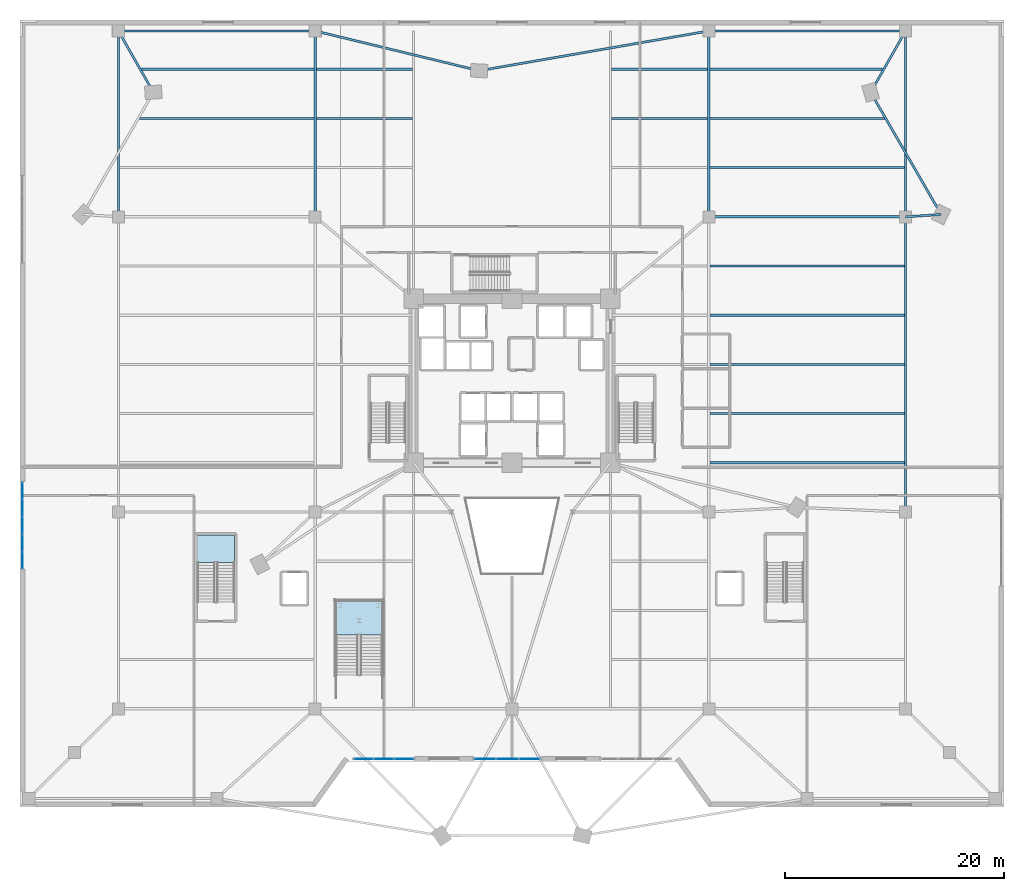
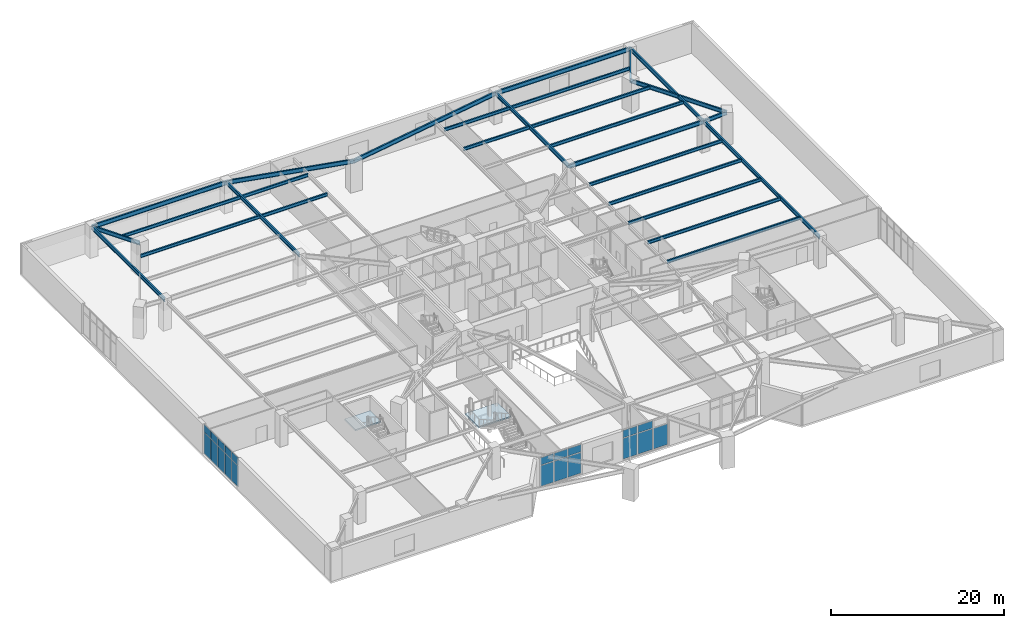
# One storey, part 17 of 29: 28 beams, 21 plates, 2 slabs, 5 elements without a shape of their own.
"""IFC4 building model written with IfcOpenShell, lengths in metres."""

import ifcopenshell
import ifcopenshell.guid

model = None  # the IFC model being written
_history = None  # IfcOwnerHistory: only IFC2X3 demands one
_inside = {}  # id of a spatial element -> (the spatial element, [elements in it])
_under = {}  # id of a project, library or spatial element -> (it, [spatial elements below it])
_declared = {}  # id of a project -> (the project, [libraries it declares])
_typed = {}  # id of a type object -> (the type object, [elements of that type])
_made_of = {}  # id of a material, layer set ... -> (it, [elements and type objects made of it])


def new_model(schema):
    """Start an empty IFC model of exactly this schema.

    Asked for "IFC4X3", IfcOpenShell would pick the latest addendum, in which some entities
    have other attributes; the version numbers below select the first issue.
    IFC2X3 requires an IfcOwnerHistory on every rooted entity: one is made here for all.
    """
    global model, _history
    if schema == "IFC4X3":
        model = ifcopenshell.file(schema_version=(4, 3, 0, 0))
    else:
        model = ifcopenshell.file(schema=schema)
    _inside.clear()
    _under.clear()
    _declared.clear()
    _typed.clear()
    _made_of.clear()
    _history = None
    if model.schema == "IFC2X3":
        org = make("IfcOrganization", Name="unknown")
        user = make(
            "IfcPersonAndOrganization",
            ThePerson=make("IfcPerson", FamilyName="unknown"),
            TheOrganization=org,
        )
        app = make(
            "IfcApplication",
            ApplicationDeveloper=org,
            Version="unknown",
            ApplicationFullName="unknown",
            ApplicationIdentifier="unknown",
        )
        _history = make(
            "IfcOwnerHistory",
            OwningUser=user,
            OwningApplication=app,
            ChangeAction="ADDED",
            CreationDate=0,
        )
    return model


def make(cls, **values):
    """One entity of the class cls with the attributes given. An attribute that is None is left unset."""
    return model.create_entity(
        cls, **{name: value for name, value in values.items() if value is not None}
    )


def rooted(cls, **values):
    """An entity with a GlobalId (a new one), such as an element, a storey or a relation."""
    return make(cls, GlobalId=ifcopenshell.guid.new(), OwnerHistory=_history, **values)


def si_unit(unit_type, name, prefix=None):
    """IfcSIUnit, for example si_unit("LENGTHUNIT", "METRE", prefix="MILLI")."""
    return make("IfcSIUnit", UnitType=unit_type, Prefix=prefix, Name=name)


def assignment(units):
    """IfcUnitAssignment: the units of a project."""
    return None if units is None else make("IfcUnitAssignment", Units=units)


def point(xyz):
    """IfcCartesianPoint."""
    return None if xyz is None else make("IfcCartesianPoint", Coordinates=xyz)


def direction(xyz):
    """IfcDirection."""
    return None if xyz is None else make("IfcDirection", DirectionRatios=xyz)


def frame(location, z_axis=None, x_axis=None):
    """IfcAxis2Placement3D, a coordinate frame: its origin and axes. An axis left out is left unset."""
    return make(
        "IfcAxis2Placement3D",
        Location=point(location),
        Axis=direction(z_axis),
        RefDirection=direction(x_axis),
    )


def frame_2d(location, x_axis=None):
    """IfcAxis2Placement2D, a coordinate frame in the plane: its origin and x axis."""
    return make(
        "IfcAxis2Placement2D", Location=point(location), RefDirection=direction(x_axis)
    )


def origin():
    """The frame at (0, 0, 0) with its axes left unset."""
    return frame((0.0, 0.0, 0.0))


def origin_2d():
    """The frame at (0, 0) in the plane with its x axis left unset."""
    return frame_2d((0.0, 0.0))


def place(relative_to, where):
    """IfcLocalPlacement: puts the frame where relative to a parent placement (None: the world)."""
    return make(
        "IfcLocalPlacement", PlacementRelTo=relative_to, RelativePlacement=where
    )


def context(
    kind, dimensions, precision=None, world=None, true_north=None, identifier=None
):
    """IfcGeometricRepresentationContext, for example the 3D "Model" context."""
    return make(
        "IfcGeometricRepresentationContext",
        ContextIdentifier=identifier,
        ContextType=kind,
        CoordinateSpaceDimension=dimensions,
        Precision=precision,
        WorldCoordinateSystem=world,
        TrueNorth=true_north,
    )


def subcontext(parent, identifier, kind, view, scale=None):
    """IfcGeometricRepresentationSubContext, for example "Body" below "Model"."""
    return make(
        "IfcGeometricRepresentationSubContext",
        ContextIdentifier=identifier,
        ContextType=kind,
        ParentContext=parent,
        TargetScale=scale,
        TargetView=view,
    )


def project(units=None, contexts=None):
    """IfcProject with its units and contexts."""
    return rooted(
        "IfcProject",
        Name="project",
        RepresentationContexts=contexts,
        UnitsInContext=assignment(units),
    )


def spatial(cls, under=None, at=None, **own):
    """A site, building, storey or space (cls), placed at a placement, below another one or the project."""
    s = rooted(cls, ObjectPlacement=at, **own)
    if under is not None:
        _under.setdefault(under.id(), (under, []))[1].append(s)
    return s


def polyline(points):
    """IfcPolyline through the points."""
    return make("IfcPolyline", Points=[point(p) for p in points])


def profile(cls, at=None, kind="AREA", **sizes):
    """A parametric profile (cls). Its sizes go by their IFC names, for example OverallWidth=200.0."""
    return make(cls, ProfileType=kind, Position=at, **sizes)


def rectangle(**sizes):
    """IfcRectangleProfileDef."""
    return profile("IfcRectangleProfileDef", **sizes)


def i_section(**sizes):
    """IfcIShapeProfileDef."""
    return profile("IfcIShapeProfileDef", **sizes)


def outline(outer, holes=None, kind="AREA"):
    """IfcArbitraryClosedProfileDef: a profile drawn as a closed curve; with holes, ...WithVoids."""
    if holes is None:
        return make("IfcArbitraryClosedProfileDef", ProfileType=kind, OuterCurve=outer)
    return make(
        "IfcArbitraryProfileDefWithVoids",
        ProfileType=kind,
        OuterCurve=outer,
        InnerCurves=holes,
    )


def extrude(swept, where, along, depth):
    """IfcExtrudedAreaSolid: the profile swept, set in the frame where, extruded along a direction by depth."""
    return make(
        "IfcExtrudedAreaSolid",
        SweptArea=swept,
        Position=where,
        ExtrudedDirection=direction(along),
        Depth=depth,
    )


def shape(context_of_items, identifier, shape_type, items):
    """IfcShapeRepresentation: the items that make up one representation, for example the "Body"."""
    return make(
        "IfcShapeRepresentation",
        ContextOfItems=context_of_items,
        RepresentationIdentifier=identifier,
        RepresentationType=shape_type,
        Items=items,
    )


def source(mapping_origin, context_of_items, identifier, shape_type, items):
    """IfcRepresentationMap: a shape defined once, which mapped items show again and again."""
    return make(
        "IfcRepresentationMap",
        MappingOrigin=mapping_origin,
        MappedRepresentation=shape(context_of_items, identifier, shape_type, items),
    )


def transform(
    local_origin,
    x_axis=None,
    y_axis=None,
    z_axis=None,
    scale=None,
    scale2=None,
    scale3=None,
    uniform=True,
):
    """IfcCartesianTransformationOperator3D, or its non-uniform kind. x_axis, y_axis, z_axis: its Axis1, 2, 3."""
    if uniform:
        return make(
            "IfcCartesianTransformationOperator3D",
            Axis1=direction(x_axis),
            Axis2=direction(y_axis),
            LocalOrigin=point(local_origin),
            Scale=scale,
            Axis3=direction(z_axis),
        )
    return make(
        "IfcCartesianTransformationOperator3DnonUniform",
        Axis1=direction(x_axis),
        Axis2=direction(y_axis),
        LocalOrigin=point(local_origin),
        Scale=scale,
        Axis3=direction(z_axis),
        Scale2=scale2,
        Scale3=scale3,
    )


def mapped(mapping_source, mapping_target):
    """IfcMappedItem: shows the shape of a source again, moved by a transform."""
    return make(
        "IfcMappedItem", MappingSource=mapping_source, MappingTarget=mapping_target
    )


def material(Name=None, Category=None):
    """IfcMaterial."""
    return make("IfcMaterial", Name=Name, Category=Category)


def layer(
    of_material, thickness, ventilated=None, Name=None, Category=None, Priority=None
):
    """IfcMaterialLayer: one layer of a wall or slab, of a material (None: an air gap)."""
    return make(
        "IfcMaterialLayer",
        Material=of_material,
        LayerThickness=thickness,
        IsVentilated=ventilated,
        Name=Name,
        Category=Category,
        Priority=Priority,
    )


def layer_set(layers, Name=None):
    """IfcMaterialLayerSet."""
    return make("IfcMaterialLayerSet", MaterialLayers=layers, LayerSetName=Name)


def material_profile(
    of_material, cross_section, Name=None, Category=None, Priority=None
):
    """IfcMaterialProfile: a cross section and its material."""
    return make(
        "IfcMaterialProfile",
        Name=Name,
        Material=of_material,
        Profile=cross_section,
        Priority=Priority,
        Category=Category,
    )


def profile_set(profiles, Name=None, composite=None):
    """IfcMaterialProfileSet."""
    return make(
        "IfcMaterialProfileSet",
        Name=Name,
        MaterialProfiles=profiles,
        CompositeProfile=composite,
    )


def made_of(thing, what):
    """Note that an element or type object is made of a material, layer set ...; save() writes the relation."""
    if what is not None:
        _made_of.setdefault(what.id(), (what, []))[1].append(thing)
    return thing


def type_object(cls, material=None, **own):
    """A type object (cls), such as IfcWallType, which elements share."""
    return made_of(rooted(cls, **own), material)


def element(
    cls,
    number,
    at=None,
    inside=None,
    cuts=None,
    type_object=None,
    material=None,
    context=None,
    identifier="Body",
    shape_type=None,
    held_by="IfcProductDefinitionShape",
    body=None,
    shapes=None,
    **own,
):
    """One element of the class cls, such as IfcWall. Its Tag is "e" and its number.

    at: its placement. inside: the storey or other place that contains it. cuts: it is an
    opening in that element (IfcRelVoidsElement). A single representation is given by context,
    identifier, shape_type and body (its items); several are given by shapes. held_by: the class
    of the entity that holds the representations. save() writes the other relations.
    """
    e = rooted(cls, Tag="e%d" % number, ObjectPlacement=at, **own)
    if body is not None:
        shapes = [shape(context, identifier, shape_type, body)]
    if shapes is not None:
        e.Representation = make(held_by, Representations=shapes)
    if inside is not None:
        _inside.setdefault(inside.id(), (inside, []))[1].append(e)
    if cuts is not None:
        rooted(
            "IfcRelVoidsElement", RelatingBuildingElement=cuts, RelatedOpeningElement=e
        )
    if type_object is not None:
        _typed.setdefault(type_object.id(), (type_object, []))[1].append(e)
    return made_of(e, material)


def aggregate(whole, parts):
    """IfcRelAggregates: a whole, such as a stair, and the parts it consists of."""
    return rooted("IfcRelAggregates", RelatingObject=whole, RelatedObjects=parts)


def save(model, path):
    """Write the relations noted so far, then the file.

    IfcRelAggregates (storeys below a building ...), IfcRelContainedInSpatialStructure (elements
    in a storey), IfcRelDefinesByType, IfcRelAssociatesMaterial and IfcRelDeclares: one each for
    every whole, place, type object, material and project.
    """
    for whole, parts in _under.values():
        aggregate(whole, parts)
    for where, things in _inside.values():
        rooted(
            "IfcRelContainedInSpatialStructure",
            RelatedElements=things,
            RelatingStructure=where,
        )
    for kind, things in _typed.values():
        rooted("IfcRelDefinesByType", RelatedObjects=things, RelatingType=kind)
    for what, things in _made_of.values():
        rooted("IfcRelAssociatesMaterial", RelatedObjects=things, RelatingMaterial=what)
    for by, libraries in _declared.values():
        rooted("IfcRelDeclares", RelatingContext=by, RelatedDefinitions=libraries)
    model.write(path)


model = new_model("IFC4")

# Units and contexts
model_context = context("Model", 3, precision=1e-05, world=origin(), true_north=direction((0.0, 1.0)))
body_context = subcontext(model_context, "Body", "Model", "MODEL_VIEW")
ifc_project = project(units=[si_unit("LENGTHUNIT", "METRE"), si_unit("AREAUNIT", "SQUARE_METRE"), si_unit("VOLUMEUNIT", "CUBIC_METRE"), si_unit("PLANEANGLEUNIT", "RADIAN"), si_unit("MASSUNIT", "GRAM", prefix="KILO")], contexts=[model_context])

# Site, building, storey
site_placement = place(None, origin())
site = spatial("IfcSite", under=ifc_project, at=site_placement, CompositionType="ELEMENT")
building_placement = place(site_placement, origin())
building = spatial("IfcBuilding", under=site, at=building_placement, Name="Liaohun Quay Tower", CompositionType="ELEMENT")
storey_placement = place(building_placement, frame((0.0, 0.0, 5.39990234375)))
storey = spatial("IfcBuildingStorey", under=building, at=storey_placement, Name="L02", CompositionType="ELEMENT", Elevation=5.39990234375)

# Beams
ifc_material_1 = material(Name="Steel Q355D", Category="steel")
ifc_material_profile_1 = material_profile(ifc_material_1, i_section(OverallWidth=0.199951171875, OverallDepth=0.449951171875, WebThickness=0.009033203125, FlangeThickness=0.013916015625, at=origin_2d()), Name="HN450x200x9x14")
ifc_profile_set_1 = profile_set([ifc_material_profile_1], Name="Steel Q355D")
beam_type_1 = type_object("IfcBeamType", Name="BM-SEC-J1", PredefinedType="JOIST", material=ifc_profile_set_1)
shared_shape_1 = source(origin(), body_context, "Body", "SweptSolid", [
    extrude(i_section(OverallWidth=0.199951171875, OverallDepth=0.449951171875, WebThickness=0.009033203125, FlangeThickness=0.013916015625, at=origin_2d()), origin(), (0.0, 0.0, 1.0), 8.7998046875),
])
for number, where, z_axis, x_axis, name in (
    (1, (42.10009765625, 78.0, 4.025146484375), (1.0, 0.0, 0.0), (0.0, 1.0, 0.0), "L02 Composite Floor Joist SJ-21"),
    (2, (42.10009765625, 82.5, 4.025146484375), (1.0, 0.0, 0.0), (0.0, 1.0, 0.0), "L02 Composite Floor Joist SJ-22"),
    (3, (69.10009765625, 78.0, 4.025146484375), (1.0, 0.0, 0.0), (0.0, 1.0, 0.0), "L02 Composite Floor Joist SJ-32"),
    (4, (69.10009765625, 82.5, 4.025146484375), (1.0, 0.0, 0.0), (0.0, 1.0, 0.0), "L02 Composite Floor Joist SJ-33"),
):
    element("IfcBeam", number, at=place(storey_placement, frame(where, z_axis=z_axis, x_axis=x_axis)), inside=storey, type_object=beam_type_1, Name=name, PredefinedType="JOIST", context=body_context, shape_type="MappedRepresentation", body=[
        mapped(shared_shape_1, transform((0.0, 0.0, 0.0), x_axis=(1.0, 0.0, 0.0), y_axis=(0.0, 1.0, 0.0), z_axis=(0.0, 0.0, 1.0), scale=1.0)),
    ])
shared_shape_2 = source(origin(), body_context, "Body", "SweptSolid", [
    extrude(i_section(OverallWidth=0.199951171875, OverallDepth=0.449951171875, WebThickness=0.009033203125, FlangeThickness=0.013916015625, at=origin_2d()), origin(), (0.0, 0.0, 1.0), 17.7998046875),
])
for number, where, z_axis, x_axis, name in (
    (5, (78.10009765625, 46.5, 4.025146484375), (1.0, 0.0, 0.0), (0.0, 1.0, 0.0), "L02 Composite Floor Joist SJ-37"),
    (6, (78.10009765625, 51.0, 4.025146484375), (1.0, 0.0, 0.0), (0.0, 1.0, 0.0), "L02 Composite Floor Joist SJ-38"),
    (7, (78.10009765625, 55.5, 4.025146484375), (1.0, 0.0, 0.0), (0.0, 1.0, 0.0), "L02 Composite Floor Joist SJ-39"),
    (8, (78.10009765625, 60.0, 4.025146484375), (1.0, 0.0, 0.0), (0.0, 1.0, 0.0), "L02 Composite Floor Joist SJ-40"),
    (9, (78.10009765625, 64.5, 4.025146484375), (1.0, 0.0, 0.0), (0.0, 1.0, 0.0), "L02 Composite Floor Joist SJ-41"),
    (10, (78.10009765625, 73.5, 4.025146484375), (1.0, 0.0, 0.0), (0.0, 1.0, 0.0), "L02 Composite Floor Joist SJ-42"),
):
    element("IfcBeam", number, at=place(storey_placement, frame(where, z_axis=z_axis, x_axis=x_axis)), inside=storey, type_object=beam_type_1, Name=name, PredefinedType="JOIST", context=body_context, shape_type="MappedRepresentation", body=[
        mapped(shared_shape_2, transform((0.0, 0.0, 0.0), x_axis=(1.0, 0.0, 0.0), y_axis=(0.0, 1.0, 0.0), z_axis=(0.0, 0.0, 1.0), scale=1.0)),
    ])
shared_shape_3 = source(origin(), body_context, "Body", "SweptSolid", [
    extrude(i_section(OverallWidth=0.199951171875, OverallDepth=0.449951171875, WebThickness=0.009033203125, FlangeThickness=0.013916015625, at=origin_2d()), origin(), (0.0, 0.0, 1.0), 15.9658203125),
])
beam_1_placement = place(storey_placement, frame((25.93408203125, 78.0, 4.025146484375), z_axis=(1.0, 0.0, 0.0), x_axis=(0.0, 1.0, 0.0)))
element("IfcBeam", 11, at=beam_1_placement, inside=storey, type_object=beam_type_1, Name="L02 Composite Floor Joist SJ-10", PredefinedType="JOIST", context=body_context, shape_type="MappedRepresentation", body=[
    mapped(shared_shape_3, transform((0.0, 0.0, 0.0), x_axis=(1.0, 0.0, 0.0), y_axis=(0.0, 1.0, 0.0), z_axis=(0.0, 0.0, 1.0), scale=1.0)),
])
shared_shape_4 = source(origin(), body_context, "Body", "SweptSolid", [
    extrude(i_section(OverallWidth=0.199951171875, OverallDepth=0.449951171875, WebThickness=0.009033203125, FlangeThickness=0.013916015625, at=origin_2d()), origin(), (0.0, 0.0, 1.0), 15.788818359375),
])
beam_2_placement = place(storey_placement, frame((26.111083984375, 82.5, 4.025146484375), z_axis=(1.0, 0.0, 0.0), x_axis=(0.0, 1.0, 0.0)))
element("IfcBeam", 12, at=beam_2_placement, inside=storey, type_object=beam_type_1, Name="L02 Composite Floor Joist SJ-11", PredefinedType="JOIST", context=body_context, shape_type="MappedRepresentation", body=[
    mapped(shared_shape_4, transform((0.0, 0.0, 0.0), x_axis=(1.0, 0.0, 0.0), y_axis=(0.0, 1.0, 0.0), z_axis=(0.0, 0.0, 1.0), scale=1.0)),
])
shared_shape_5 = source(origin(), body_context, "Body", "SweptSolid", [
    extrude(i_section(OverallWidth=0.199951171875, OverallDepth=0.449951171875, WebThickness=0.009033203125, FlangeThickness=0.013916015625, at=origin_2d()), origin(), (0.0, 0.0, 1.0), 15.96484375),
])
beam_3_placement = place(storey_placement, frame((78.10009765625, 78.0, 4.025146484375), z_axis=(1.0, 0.0, 0.0), x_axis=(0.0, 1.0, 0.0)))
element("IfcBeam", 13, at=beam_3_placement, inside=storey, type_object=beam_type_1, Name="L02 Composite Floor Joist SJ-43", PredefinedType="JOIST", context=body_context, shape_type="MappedRepresentation", body=[
    mapped(shared_shape_5, transform((0.0, 0.0, 0.0), x_axis=(1.0, 0.0, 0.0), y_axis=(0.0, 1.0, 0.0), z_axis=(0.0, 0.0, 1.0), scale=1.0)),
])
shared_shape_6 = source(origin(), body_context, "Body", "SweptSolid", [
    extrude(i_section(OverallWidth=0.199951171875, OverallDepth=0.449951171875, WebThickness=0.009033203125, FlangeThickness=0.013916015625, at=origin_2d()), origin(), (0.0, 0.0, 1.0), 15.7919921875),
])
beam_4_placement = place(storey_placement, frame((78.10009765625, 82.5, 4.025146484375), z_axis=(1.0, 0.0, 0.0), x_axis=(0.0, 1.0, 0.0)))
element("IfcBeam", 14, at=beam_4_placement, inside=storey, type_object=beam_type_1, Name="L02 Composite Floor Joist SJ-44", PredefinedType="JOIST", context=body_context, shape_type="MappedRepresentation", body=[
    mapped(shared_shape_6, transform((0.0, 0.0, 0.0), x_axis=(1.0, 0.0, 0.0), y_axis=(0.0, 1.0, 0.0), z_axis=(0.0, 0.0, 1.0), scale=1.0)),
])
ifc_material_profile_2 = material_profile(ifc_material_1, i_section(OverallWidth=0.199951171875, OverallDepth=0.60009765625, WebThickness=0.010986328125, FlangeThickness=0.01708984375, at=origin_2d()), Name="HN600x200x11x17")
ifc_profile_set_2 = profile_set([ifc_material_profile_2], Name="Steel Q355D")
beam_type_2 = type_object("IfcBeamType", Name="BM-POD-G1", PredefinedType="BEAM", material=ifc_profile_set_2)
shared_shape_7 = source(origin(), body_context, "Body", "SweptSolid", [
    extrude(i_section(OverallWidth=0.199951171875, OverallDepth=0.60009765625, WebThickness=0.010986328125, FlangeThickness=0.01708984375, at=origin_2d()), origin(), (0.0, 0.0, 1.0), 18.0),
])
for number, where, z_axis, x_axis, name in (
    (15, (78.0, 69.0, 3.9501953125), (1.0, 0.0, 0.0), (0.0, 1.0, 0.0), "L02 Primary Grid Girder PG12-PG13"),
    (16, (24.0, 86.0, 3.9501953125), (1.0, 0.0, 0.0), (0.0, 1.0, 0.0), "L02 Primary Grid Girder PG14-PG15"),
    (17, (78.0, 86.0, 3.9501953125), (1.0, 0.0, 0.0), (0.0, 1.0, 0.0), "L02 Primary Grid Girder PG17-PG18"),
):
    element("IfcBeam", number, at=place(storey_placement, frame(where, z_axis=z_axis, x_axis=x_axis)), inside=storey, type_object=beam_type_2, Name=name, PredefinedType="BEAM", context=body_context, shape_type="MappedRepresentation", body=[
        mapped(shared_shape_7, transform((0.0, 0.0, 0.0), x_axis=(1.0, 0.0, 0.0), y_axis=(0.0, 1.0, 0.0), z_axis=(0.0, 0.0, 1.0), scale=1.0)),
    ])
shared_shape_8 = source(origin(), body_context, "Body", "SweptSolid", [
    extrude(i_section(OverallWidth=0.199951171875, OverallDepth=0.60009765625, WebThickness=0.010986328125, FlangeThickness=0.01708984375, at=origin_2d()), origin(), (0.0, 0.0, 1.0), 15.4306640625),
])
beam_5_placement = place(storey_placement, frame((42.0, 86.0, 3.9501953125), z_axis=(0.971780133719, -0.235888473032, 0.0), x_axis=(0.235888473032, 0.971780133719, 0.0)))
element("IfcBeam", 18, at=beam_5_placement, inside=storey, type_object=beam_type_2, Name="L02 Primary Grid Girder PG15-PC06", PredefinedType="BEAM", context=body_context, shape_type="MappedRepresentation", body=[
    mapped(shared_shape_8, transform((0.0, 0.0, 0.0), x_axis=(1.0, 0.0, 0.0), y_axis=(0.0, 1.0, 0.0), z_axis=(0.0, 0.0, 1.0), scale=1.0)),
])
shared_shape_9 = source(origin(), body_context, "Body", "SweptSolid", [
    extrude(i_section(OverallWidth=0.199951171875, OverallDepth=0.60009765625, WebThickness=0.010986328125, FlangeThickness=0.01708984375, at=origin_2d()), origin(), (0.0, 0.0, 1.0), 21.31787109375),
])
beam_6_placement = place(storey_placement, frame((56.9951171875, 82.360107421875, 3.9501953125), z_axis=(0.985315548274, 0.170743287801, 0.0), x_axis=(-0.170743287801, 0.985315548274, 0.0)))
element("IfcBeam", 19, at=beam_6_placement, inside=storey, type_object=beam_type_2, Name="L02 Primary Grid Girder PC06-PG17", PredefinedType="BEAM", context=body_context, shape_type="MappedRepresentation", body=[
    mapped(shared_shape_9, transform((0.0, 0.0, 0.0), x_axis=(1.0, 0.0, 0.0), y_axis=(0.0, 1.0, 0.0), z_axis=(0.0, 0.0, 1.0), scale=1.0)),
])
ifc_material_profile_3 = material_profile(ifc_material_1, i_section(OverallWidth=0.199951171875, OverallDepth=0.550048828125, WebThickness=0.010009765625, FlangeThickness=0.01611328125, at=origin_2d()), Name="HN550x200x10x16")
ifc_profile_set_3 = profile_set([ifc_material_profile_3], Name="Steel Q355D")
beam_type_3 = type_object("IfcBeamType", Name="BM-POD-G2", PredefinedType="BEAM", material=ifc_profile_set_3)
shared_shape_10 = source(origin(), body_context, "Body", "SweptSolid", [
    extrude(i_section(OverallWidth=0.199951171875, OverallDepth=0.550048828125, WebThickness=0.010009765625, FlangeThickness=0.01611328125, at=origin_2d()), origin(), (0.0, 0.0, 1.0), 27.0),
])
beam_7_placement = place(storey_placement, frame((96.0, 42.0, 3.97509765625), z_axis=(0.0, 1.0, 0.0), x_axis=(-1.0, 0.0, 0.0)))
element("IfcBeam", 20, at=beam_7_placement, inside=storey, type_object=beam_type_3, Name="L02 Primary Grid Girder PG09-PG13", PredefinedType="BEAM", context=body_context, shape_type="MappedRepresentation", body=[
    mapped(shared_shape_10, transform((0.0, 0.0, 0.0), x_axis=(1.0, 0.0, 0.0), y_axis=(0.0, 1.0, 0.0), z_axis=(0.0, 0.0, 1.0), scale=1.0)),
])
shared_shape_11 = source(origin(), body_context, "Body", "SweptSolid", [
    extrude(i_section(OverallWidth=0.199951171875, OverallDepth=0.550048828125, WebThickness=0.010009765625, FlangeThickness=0.01611328125, at=origin_2d()), origin(), (0.0, 0.0, 1.0), 17.0),
])
for number, where, z_axis, x_axis, name in (
    (21, (24.0, 69.0, 3.97509765625), (0.0, 1.0, 0.0), (-1.0, 0.0, 0.0), "L02 Primary Grid Girder PG10-PG14"),
    (22, (42.0, 69.0, 3.97509765625), (0.0, 1.0, 0.0), (-1.0, 0.0, 0.0), "L02 Primary Grid Girder PG11-PG15"),
    (23, (78.0, 69.0, 3.97509765625), (0.0, 1.0, 0.0), (-1.0, 0.0, 0.0), "L02 Primary Grid Girder PG12-PG17"),
    (24, (96.0, 69.0, 3.97509765625), (0.0, 1.0, 0.0), (-1.0, 0.0, 0.0), "L02 Primary Grid Girder PG13-PG18"),
):
    element("IfcBeam", number, at=place(storey_placement, frame(where, z_axis=z_axis, x_axis=x_axis)), inside=storey, type_object=beam_type_3, Name=name, PredefinedType="BEAM", context=body_context, shape_type="MappedRepresentation", body=[
        mapped(shared_shape_11, transform((0.0, 0.0, 0.0), x_axis=(1.0, 0.0, 0.0), y_axis=(0.0, 1.0, 0.0), z_axis=(0.0, 0.0, 1.0), scale=1.0)),
    ])
shared_shape_12 = source(origin(), body_context, "Body", "SweptSolid", [
    extrude(i_section(OverallWidth=0.199951171875, OverallDepth=0.550048828125, WebThickness=0.010009765625, FlangeThickness=0.01611328125, at=origin_2d()), origin(), (0.0, 0.0, 1.0), 6.45703125),
])
beam_8_placement = place(storey_placement, frame((27.198974609375, 80.39111328125, 3.97509765625), z_axis=(-0.49542619565, 0.868650035782, 0.0), x_axis=(-0.868650035782, -0.49542619565, 0.0)))
element("IfcBeam", 25, at=beam_8_placement, inside=storey, type_object=beam_type_3, Name="L02 Primary Grid Girder PC05-PG14", PredefinedType="BEAM", context=body_context, shape_type="MappedRepresentation", body=[
    mapped(shared_shape_12, transform((0.0, 0.0, 0.0), x_axis=(1.0, 0.0, 0.0), y_axis=(0.0, 1.0, 0.0), z_axis=(0.0, 0.0, 1.0), scale=1.0)),
])
shared_shape_13 = source(origin(), body_context, "Body", "SweptSolid", [
    extrude(i_section(OverallWidth=0.199951171875, OverallDepth=0.550048828125, WebThickness=0.010009765625, FlangeThickness=0.01611328125, at=origin_2d()), origin(), (0.0, 0.0, 1.0), 6.462158203125),
])
beam_9_placement = place(storey_placement, frame((92.802978515625, 80.384033203125, 3.97509765625), z_axis=(0.494726480393, 0.869048738333, 0.0), x_axis=(-0.869048738333, 0.494726480393, 0.0)))
element("IfcBeam", 26, at=beam_9_placement, inside=storey, type_object=beam_type_3, Name="L02 Primary Grid Girder PC07-PG18", PredefinedType="BEAM", context=body_context, shape_type="MappedRepresentation", body=[
    mapped(shared_shape_13, transform((0.0, 0.0, 0.0), x_axis=(1.0, 0.0, 0.0), y_axis=(0.0, 1.0, 0.0), z_axis=(0.0, 0.0, 1.0), scale=1.0)),
])
shared_shape_14 = source(origin(), body_context, "Body", "SweptSolid", [
    extrude(i_section(OverallWidth=0.199951171875, OverallDepth=0.550048828125, WebThickness=0.010009765625, FlangeThickness=0.01611328125, at=origin_2d()), origin(), (0.0, 0.0, 1.0), 3.262939453125),
])
beam_10_placement = place(storey_placement, frame((99.256103515625, 69.2119140625, 3.97509765625), z_axis=(-0.997888864182, -0.064944705264, 0.0), x_axis=(0.064944705264, -0.997888864182, 0.0)))
element("IfcBeam", 27, at=beam_10_placement, inside=storey, type_object=beam_type_3, Name="L02 Primary Grid Girder PC09-PG13", PredefinedType="BEAM", context=body_context, shape_type="MappedRepresentation", body=[
    mapped(shared_shape_14, transform((0.0, 0.0, 0.0), x_axis=(1.0, 0.0, 0.0), y_axis=(0.0, 1.0, 0.0), z_axis=(0.0, 0.0, 1.0), scale=1.0)),
])
shared_shape_15 = source(origin(), body_context, "Body", "SweptSolid", [
    extrude(i_section(OverallWidth=0.199951171875, OverallDepth=0.550048828125, WebThickness=0.010009765625, FlangeThickness=0.01611328125, at=origin_2d()), origin(), (0.0, 0.0, 1.0), 12.90185546875),
])
beam_11_placement = place(storey_placement, frame((92.802978515625, 80.384033203125, 3.97509765625), z_axis=(0.500168512593, -0.865928091131, 0.0), x_axis=(0.865928091131, 0.500168512593, 0.0)))
element("IfcBeam", 28, at=beam_11_placement, inside=storey, type_object=beam_type_3, Name="L02 Primary Grid Girder PC07-PC09", PredefinedType="BEAM", context=body_context, shape_type="MappedRepresentation", body=[
    mapped(shared_shape_15, transform((0.0, 0.0, 0.0), x_axis=(1.0, 0.0, 0.0), y_axis=(0.0, 1.0, 0.0), z_axis=(0.0, 0.0, 1.0), scale=1.0)),
])

# Stair, slab
ifc_material_2 = material(Name="Concrete C45", Category="concrete")
stair_type_1 = type_object("IfcStairType", Name="STR-POD-EXIT", PredefinedType="TWO_STRAIGHT_RUN_STAIR", material=ifc_material_2)
stair_1_placement = place(storey_placement, origin())
stair_1 = element("IfcStair", 29, at=stair_1_placement, inside=storey, type_object=stair_type_1, Name="L02 Podium Smokeproof Exit Stair ST-P1", PredefinedType="TWO_STRAIGHT_RUN_STAIR")
ifc_layer_1 = layer(ifc_material_2, 0.199951171875, Name="Concrete C45", Category="concrete")
ifc_layer_set_1 = layer_set([ifc_layer_1], Name="Concrete C45")
slab_type = type_object("IfcSlabType", Name="SLB-LND-200", PredefinedType="LANDING", material=ifc_layer_set_1)
slab_1_placement = place(storey_placement, frame((0.0, 0.0, 2.050048828125)))
slab_1 = element("IfcSlab", 30, at=slab_1_placement, type_object=slab_type, Name="ST-P1 landing 1", PredefinedType="LANDING", context=body_context, shape_type="SweptSolid", body=[
    extrude(outline(polyline([(34.639892578125, 37.389892578125), (34.639892578125, 39.89990234375), (31.199951171875, 39.89990234375), (31.199951171875, 37.389892578125), (34.639892578125, 37.389892578125)])), origin(), (0.0, 0.0, 1.0), 0.199951171875),
])
aggregate(stair_1, [slab_1])

ifc_material_3 = material(Name="Precast concrete C50", Category="concrete")
stair_type_2 = type_object("IfcStairType", Name="STR-MON-ATR", PredefinedType="STRAIGHT_RUN_STAIR", material=ifc_material_3)
stair_2_placement = place(storey_placement, origin())
stair_2 = element("IfcStair", 31, at=stair_2_placement, inside=storey, type_object=stair_type_2, Name="L02 Monumental Atrium Feature Stair ST-A", PredefinedType="STRAIGHT_RUN_STAIR")
slab_2_placement = place(storey_placement, frame((0.0, 0.0, 2.050048828125)))
slab_2 = element("IfcSlab", 32, at=slab_2_placement, type_object=slab_type, Name="ST-A landing 1", PredefinedType="LANDING", context=body_context, shape_type="SweptSolid", body=[
    extrude(outline(polyline([(48.199951171875, 30.739990234375), (48.199951171875, 33.89990234375), (43.860107421875, 33.89990234375), (43.860107421875, 30.739990234375), (48.199951171875, 30.739990234375)])), origin(), (0.0, 0.0, 1.0), 0.199951171875),
])
aggregate(stair_2, [slab_2])

# Curtain wall, plates
ifc_material_4 = material(Name="Thermally broken waterfront lobby unitised curtain wall")
ifc_layer_2 = layer(ifc_material_4, 0.219970703125, Name="Thermally broken waterfront lobby unitised curtain wall")
ifc_layer_set_2 = layer_set([ifc_layer_2], Name="Thermally broken waterfront lobby unitised curtain wall")
curtain_wall_type_1 = type_object("IfcCurtainWallType", Name="CW-POD-PROM", PredefinedType="NOTDEFINED", material=ifc_layer_set_2)
curtain_wall_1_placement = place(storey_placement, origin())
curtain_wall_1 = element("IfcCurtainWall", 33, at=curtain_wall_1_placement, inside=storey, type_object=curtain_wall_type_1, Name="L02 Waterfront Lobby Curtain Wall CW1-1", PredefinedType="NOTDEFINED")
ifc_material_5 = material(Name="Triple Low-E clear insulated glass unit", Category="glass")
ifc_layer_3 = layer(ifc_material_5, 0.0439453125, Name="Triple Low-E clear insulated glass unit", Category="glass")
ifc_layer_set_3 = layer_set([ifc_layer_3], Name="Triple Low-E clear insulated glass unit")
plate_type_1 = type_object("IfcPlateType", Name="PLT-CWP-GLZ1", PredefinedType="CURTAIN_PANEL", material=ifc_layer_set_3)
shared_shape_16 = source(origin(), body_context, "Body", "SweptSolid", [
    extrude(rectangle(XDim=1.686767578125, YDim=0.0439453125, at=origin_2d()), origin(), (0.0, 0.0, 1.0), 2.909912109375),
])
plate_1_placement = place(storey_placement, frame((46.4453125, 19.429931640625, 0.10009765625), z_axis=(0.0, 0.0, 1.0), x_axis=(1.0, 0.0, 0.0)))
plate_1 = element("IfcPlate", 34, at=plate_1_placement, type_object=plate_type_1, Name="CW1 panel 1.1", PredefinedType="CURTAIN_PANEL", context=body_context, shape_type="MappedRepresentation", body=[
    mapped(shared_shape_16, transform((0.0, 0.0, 0.0), x_axis=(1.0, 0.0, 0.0), y_axis=(0.0, 1.0, 0.0), z_axis=(0.0, 0.0, 1.0), scale=1.0)),
])
plate_2_placement = place(storey_placement, frame((50.11865234375, 19.429931640625, 0.10009765625), z_axis=(0.0, 0.0, 1.0), x_axis=(1.0, 0.0, 0.0)))
plate_2 = element("IfcPlate", 35, at=plate_2_placement, type_object=plate_type_1, Name="CW1 panel 3.1", PredefinedType="CURTAIN_PANEL", context=body_context, shape_type="MappedRepresentation", body=[
    mapped(shared_shape_16, transform((0.0, 0.0, 0.0), x_axis=(1.0, 0.0, 0.0), y_axis=(0.0, 1.0, 0.0), z_axis=(0.0, 0.0, 1.0), scale=1.0)),
])
shared_shape_17 = source(origin(), body_context, "Body", "SweptSolid", [
    extrude(rectangle(XDim=1.686767578125, YDim=0.0439453125, at=origin_2d()), origin(), (0.0, 0.0, 1.0), 1.0400390625),
])
plate_3_placement = place(storey_placement, frame((46.4453125, 19.429931640625, 3.110107421875), z_axis=(0.0, 0.0, 1.0), x_axis=(1.0, 0.0, 0.0)))
plate_3 = element("IfcPlate", 36, at=plate_3_placement, type_object=plate_type_1, Name="CW1 panel 1.2", PredefinedType="CURTAIN_PANEL", context=body_context, shape_type="MappedRepresentation", body=[
    mapped(shared_shape_17, transform((0.0, 0.0, 0.0), x_axis=(1.0, 0.0, 0.0), y_axis=(0.0, 1.0, 0.0), z_axis=(0.0, 0.0, 1.0), scale=1.0)),
])
plate_4_placement = place(storey_placement, frame((50.11865234375, 19.429931640625, 3.110107421875), z_axis=(0.0, 0.0, 1.0), x_axis=(1.0, 0.0, 0.0)))
plate_4 = element("IfcPlate", 37, at=plate_4_placement, type_object=plate_type_1, Name="CW1 panel 3.2", PredefinedType="CURTAIN_PANEL", context=body_context, shape_type="MappedRepresentation", body=[
    mapped(shared_shape_17, transform((0.0, 0.0, 0.0), x_axis=(1.0, 0.0, 0.0), y_axis=(0.0, 1.0, 0.0), z_axis=(0.0, 0.0, 1.0), scale=1.0)),
])
shared_shape_18 = source(origin(), body_context, "Body", "SweptSolid", [
    extrude(rectangle(XDim=1.74658203125, YDim=0.0439453125, at=origin_2d()), origin(), (0.0, 0.0, 1.0), 2.909912109375),
])
plate_5_placement = place(storey_placement, frame((48.281982421875, 19.429931640625, 0.10009765625), z_axis=(0.0, 0.0, 1.0), x_axis=(1.0, 0.0, 0.0)))
plate_5 = element("IfcPlate", 38, at=plate_5_placement, type_object=plate_type_1, Name="CW1 panel 2.1", PredefinedType="CURTAIN_PANEL", context=body_context, shape_type="MappedRepresentation", body=[
    mapped(shared_shape_18, transform((0.0, 0.0, 0.0), x_axis=(1.0, 0.0, 0.0), y_axis=(0.0, 1.0, 0.0), z_axis=(0.0, 0.0, 1.0), scale=1.0)),
])
shared_shape_19 = source(origin(), body_context, "Body", "SweptSolid", [
    extrude(rectangle(XDim=1.74658203125, YDim=0.0439453125, at=origin_2d()), origin(), (0.0, 0.0, 1.0), 1.0400390625),
])
plate_6_placement = place(storey_placement, frame((48.281982421875, 19.429931640625, 3.110107421875), z_axis=(0.0, 0.0, 1.0), x_axis=(1.0, 0.0, 0.0)))
plate_6 = element("IfcPlate", 39, at=plate_6_placement, type_object=plate_type_1, Name="CW1 panel 2.2", PredefinedType="CURTAIN_PANEL", context=body_context, shape_type="MappedRepresentation", body=[
    mapped(shared_shape_19, transform((0.0, 0.0, 0.0), x_axis=(1.0, 0.0, 0.0), y_axis=(0.0, 1.0, 0.0), z_axis=(0.0, 0.0, 1.0), scale=1.0)),
])
aggregate(curtain_wall_1, [plate_1, plate_3, plate_5, plate_6, plate_2, plate_4])

curtain_wall_2_placement = place(storey_placement, origin())
curtain_wall_2 = element("IfcCurtainWall", 40, at=curtain_wall_2_placement, inside=storey, type_object=curtain_wall_type_1, Name="L02 Waterfront Lobby Curtain Wall CW1-2", PredefinedType="NOTDEFINED")
shared_shape_20 = source(origin(), body_context, "Body", "SweptSolid", [
    extrude(rectangle(XDim=1.88671875, YDim=0.0439453125, at=origin_2d()), origin(), (0.0, 0.0, 1.0), 2.909912109375),
])
plate_7_placement = place(storey_placement, frame((57.54541015625, 19.429931640625, 0.10009765625), z_axis=(0.0, 0.0, 1.0), x_axis=(1.0, 0.0, 0.0)))
plate_7 = element("IfcPlate", 41, at=plate_7_placement, type_object=plate_type_1, Name="CW1 panel 1.1", PredefinedType="CURTAIN_PANEL", context=body_context, shape_type="MappedRepresentation", body=[
    mapped(shared_shape_20, transform((0.0, 0.0, 0.0), x_axis=(1.0, 0.0, 0.0), y_axis=(0.0, 1.0, 0.0), z_axis=(0.0, 0.0, 1.0), scale=1.0)),
])
plate_8_placement = place(storey_placement, frame((61.61865234375, 19.429931640625, 0.10009765625), z_axis=(0.0, 0.0, 1.0), x_axis=(1.0, 0.0, 0.0)))
plate_8 = element("IfcPlate", 42, at=plate_8_placement, type_object=plate_type_1, Name="CW1 panel 3.1", PredefinedType="CURTAIN_PANEL", context=body_context, shape_type="MappedRepresentation", body=[
    mapped(shared_shape_20, transform((0.0, 0.0, 0.0), x_axis=(1.0, 0.0, 0.0), y_axis=(0.0, 1.0, 0.0), z_axis=(0.0, 0.0, 1.0), scale=1.0)),
])
shared_shape_21 = source(origin(), body_context, "Body", "SweptSolid", [
    extrude(rectangle(XDim=1.88671875, YDim=0.0439453125, at=origin_2d()), origin(), (0.0, 0.0, 1.0), 1.0400390625),
])
plate_9_placement = place(storey_placement, frame((57.54541015625, 19.429931640625, 3.110107421875), z_axis=(0.0, 0.0, 1.0), x_axis=(1.0, 0.0, 0.0)))
plate_9 = element("IfcPlate", 43, at=plate_9_placement, type_object=plate_type_1, Name="CW1 panel 1.2", PredefinedType="CURTAIN_PANEL", context=body_context, shape_type="MappedRepresentation", body=[
    mapped(shared_shape_21, transform((0.0, 0.0, 0.0), x_axis=(1.0, 0.0, 0.0), y_axis=(0.0, 1.0, 0.0), z_axis=(0.0, 0.0, 1.0), scale=1.0)),
])
shared_shape_22 = source(origin(), body_context, "Body", "SweptSolid", [
    extrude(rectangle(XDim=1.94677734375, YDim=0.0439453125, at=origin_2d()), origin(), (0.0, 0.0, 1.0), 2.909912109375),
])
plate_10_placement = place(storey_placement, frame((59.58203125, 19.429931640625, 0.10009765625), z_axis=(0.0, 0.0, 1.0), x_axis=(1.0, 0.0, 0.0)))
plate_10 = element("IfcPlate", 44, at=plate_10_placement, type_object=plate_type_1, Name="CW1 panel 2.1", PredefinedType="CURTAIN_PANEL", context=body_context, shape_type="MappedRepresentation", body=[
    mapped(shared_shape_22, transform((0.0, 0.0, 0.0), x_axis=(1.0, 0.0, 0.0), y_axis=(0.0, 1.0, 0.0), z_axis=(0.0, 0.0, 1.0), scale=1.0)),
])
shared_shape_23 = source(origin(), body_context, "Body", "SweptSolid", [
    extrude(rectangle(XDim=1.94677734375, YDim=0.0439453125, at=origin_2d()), origin(), (0.0, 0.0, 1.0), 1.0400390625),
])
plate_11_placement = place(storey_placement, frame((59.58203125, 19.429931640625, 3.110107421875), z_axis=(0.0, 0.0, 1.0), x_axis=(1.0, 0.0, 0.0)))
plate_11 = element("IfcPlate", 45, at=plate_11_placement, type_object=plate_type_1, Name="CW1 panel 2.2", PredefinedType="CURTAIN_PANEL", context=body_context, shape_type="MappedRepresentation", body=[
    mapped(shared_shape_23, transform((0.0, 0.0, 0.0), x_axis=(1.0, 0.0, 0.0), y_axis=(0.0, 1.0, 0.0), z_axis=(0.0, 0.0, 1.0), scale=1.0)),
])
aggregate(curtain_wall_2, [plate_7, plate_9, plate_10, plate_11, plate_8])

ifc_material_6 = material(Name="Thermally broken podium arcade storefront curtain wall")
ifc_layer_4 = layer(ifc_material_6, 0.179931640625, Name="Thermally broken podium arcade storefront curtain wall")
ifc_layer_set_4 = layer_set([ifc_layer_4], Name="Thermally broken podium arcade storefront curtain wall")
curtain_wall_type_2 = type_object("IfcCurtainWallType", Name="CW-POD-RET", PredefinedType="NOTDEFINED", material=ifc_layer_set_4)
curtain_wall_3_placement = place(storey_placement, origin())
curtain_wall_3 = element("IfcCurtainWall", 46, at=curtain_wall_3_placement, inside=storey, type_object=curtain_wall_type_2, Name="L02 Podium Arcade Storefront CW2-W2", PredefinedType="NOTDEFINED")
ifc_material_7 = material(Name="Triple Low-E high-selectivity glass unit", Category="glass")
ifc_layer_5 = layer(ifc_material_7, 0.048095703125, Name="Triple Low-E high-selectivity glass unit", Category="glass")
ifc_layer_set_5 = layer_set([ifc_layer_5], Name="Triple Low-E high-selectivity glass unit")
plate_type_2 = type_object("IfcPlateType", Name="PLT-CWP-GLZ2", PredefinedType="CURTAIN_PANEL", material=ifc_layer_set_5)
shared_shape_24 = source(origin(), body_context, "Body", "SweptSolid", [
    extrude(rectangle(XDim=1.47998046875, YDim=0.048095703125, at=origin_2d()), origin(), (0.0, 0.0, 1.0), 2.947509765625),
])
plate_12_placement = place(storey_placement, frame((15.22998046875, 43.949951171875, 0.0751953125), z_axis=(0.0, 0.0, 1.0), x_axis=(0.0, -1.0, 0.0)))
plate_12 = element("IfcPlate", 47, at=plate_12_placement, type_object=plate_type_2, Name="CW2 panel 1.1", PredefinedType="CURTAIN_PANEL", context=body_context, shape_type="MappedRepresentation", body=[
    mapped(shared_shape_24, transform((0.0, 0.0, 0.0), x_axis=(1.0, 0.0, 0.0), y_axis=(0.0, 1.0, 0.0), z_axis=(0.0, 0.0, 1.0), scale=1.0)),
])
plate_13_placement = place(storey_placement, frame((15.22998046875, 37.590087890625, 0.0751953125), z_axis=(0.0, 0.0, 1.0), x_axis=(0.0, -1.0, 0.0)))
plate_13 = element("IfcPlate", 48, at=plate_13_placement, type_object=plate_type_2, Name="CW2 panel 5.1", PredefinedType="CURTAIN_PANEL", context=body_context, shape_type="MappedRepresentation", body=[
    mapped(shared_shape_24, transform((0.0, 0.0, 0.0), x_axis=(1.0, 0.0, 0.0), y_axis=(0.0, 1.0, 0.0), z_axis=(0.0, 0.0, 1.0), scale=1.0)),
])
shared_shape_25 = source(origin(), body_context, "Body", "SweptSolid", [
    extrude(rectangle(XDim=1.47998046875, YDim=0.048095703125, at=origin_2d()), origin(), (0.0, 0.0, 1.0), 1.077392578125),
])
plate_14_placement = place(storey_placement, frame((15.22998046875, 43.949951171875, 3.09765625), z_axis=(0.0, 0.0, 1.0), x_axis=(0.0, -1.0, 0.0)))
plate_14 = element("IfcPlate", 49, at=plate_14_placement, type_object=plate_type_2, Name="CW2 panel 1.2", PredefinedType="CURTAIN_PANEL", context=body_context, shape_type="MappedRepresentation", body=[
    mapped(shared_shape_25, transform((0.0, 0.0, 0.0), x_axis=(1.0, 0.0, 0.0), y_axis=(0.0, 1.0, 0.0), z_axis=(0.0, 0.0, 1.0), scale=1.0)),
])
plate_15_placement = place(storey_placement, frame((15.22998046875, 37.590087890625, 3.09765625), z_axis=(0.0, 0.0, 1.0), x_axis=(0.0, -1.0, 0.0)))
plate_15 = element("IfcPlate", 50, at=plate_15_placement, type_object=plate_type_2, Name="CW2 panel 5.2", PredefinedType="CURTAIN_PANEL", context=body_context, shape_type="MappedRepresentation", body=[
    mapped(shared_shape_25, transform((0.0, 0.0, 0.0), x_axis=(1.0, 0.0, 0.0), y_axis=(0.0, 1.0, 0.0), z_axis=(0.0, 0.0, 1.0), scale=1.0)),
])
shared_shape_26 = source(origin(), body_context, "Body", "SweptSolid", [
    extrude(rectangle(XDim=1.52001953125, YDim=0.048095703125, at=origin_2d()), origin(), (0.0, 0.0, 1.0), 2.947509765625),
])
plate_16_placement = place(storey_placement, frame((15.22998046875, 42.3701171875, 0.0751953125), z_axis=(0.0, 0.0, 1.0), x_axis=(0.0, -1.0, 0.0)))
plate_16 = element("IfcPlate", 51, at=plate_16_placement, type_object=plate_type_2, Name="CW2 panel 2.1", PredefinedType="CURTAIN_PANEL", context=body_context, shape_type="MappedRepresentation", body=[
    mapped(shared_shape_26, transform((0.0, 0.0, 0.0), x_axis=(1.0, 0.0, 0.0), y_axis=(0.0, 1.0, 0.0), z_axis=(0.0, 0.0, 1.0), scale=1.0)),
])
plate_17_placement = place(storey_placement, frame((15.22998046875, 40.77001953125, 0.0751953125), z_axis=(0.0, 0.0, 1.0), x_axis=(0.0, -1.0, 0.0)))
plate_17 = element("IfcPlate", 52, at=plate_17_placement, type_object=plate_type_2, Name="CW2 panel 3.1", PredefinedType="CURTAIN_PANEL", context=body_context, shape_type="MappedRepresentation", body=[
    mapped(shared_shape_26, transform((0.0, 0.0, 0.0), x_axis=(1.0, 0.0, 0.0), y_axis=(0.0, 1.0, 0.0), z_axis=(0.0, 0.0, 1.0), scale=1.0)),
])
plate_18_placement = place(storey_placement, frame((15.22998046875, 39.169921875, 0.0751953125), z_axis=(0.0, 0.0, 1.0), x_axis=(0.0, -1.0, 0.0)))
plate_18 = element("IfcPlate", 53, at=plate_18_placement, type_object=plate_type_2, Name="CW2 panel 4.1", PredefinedType="CURTAIN_PANEL", context=body_context, shape_type="MappedRepresentation", body=[
    mapped(shared_shape_26, transform((0.0, 0.0, 0.0), x_axis=(1.0, 0.0, 0.0), y_axis=(0.0, 1.0, 0.0), z_axis=(0.0, 0.0, 1.0), scale=1.0)),
])
shared_shape_27 = source(origin(), body_context, "Body", "SweptSolid", [
    extrude(rectangle(XDim=1.52001953125, YDim=0.048095703125, at=origin_2d()), origin(), (0.0, 0.0, 1.0), 1.077392578125),
])
plate_19_placement = place(storey_placement, frame((15.22998046875, 42.3701171875, 3.09765625), z_axis=(0.0, 0.0, 1.0), x_axis=(0.0, -1.0, 0.0)))
plate_19 = element("IfcPlate", 54, at=plate_19_placement, type_object=plate_type_2, Name="CW2 panel 2.2", PredefinedType="CURTAIN_PANEL", context=body_context, shape_type="MappedRepresentation", body=[
    mapped(shared_shape_27, transform((0.0, 0.0, 0.0), x_axis=(1.0, 0.0, 0.0), y_axis=(0.0, 1.0, 0.0), z_axis=(0.0, 0.0, 1.0), scale=1.0)),
])
plate_20_placement = place(storey_placement, frame((15.22998046875, 40.77001953125, 3.09765625), z_axis=(0.0, 0.0, 1.0), x_axis=(0.0, -1.0, 0.0)))
plate_20 = element("IfcPlate", 55, at=plate_20_placement, type_object=plate_type_2, Name="CW2 panel 3.2", PredefinedType="CURTAIN_PANEL", context=body_context, shape_type="MappedRepresentation", body=[
    mapped(shared_shape_27, transform((0.0, 0.0, 0.0), x_axis=(1.0, 0.0, 0.0), y_axis=(0.0, 1.0, 0.0), z_axis=(0.0, 0.0, 1.0), scale=1.0)),
])
plate_21_placement = place(storey_placement, frame((15.22998046875, 39.169921875, 3.09765625), z_axis=(0.0, 0.0, 1.0), x_axis=(0.0, -1.0, 0.0)))
plate_21 = element("IfcPlate", 56, at=plate_21_placement, type_object=plate_type_2, Name="CW2 panel 4.2", PredefinedType="CURTAIN_PANEL", context=body_context, shape_type="MappedRepresentation", body=[
    mapped(shared_shape_27, transform((0.0, 0.0, 0.0), x_axis=(1.0, 0.0, 0.0), y_axis=(0.0, 1.0, 0.0), z_axis=(0.0, 0.0, 1.0), scale=1.0)),
])
aggregate(curtain_wall_3, [plate_12, plate_14, plate_16, plate_19, plate_17, plate_20, plate_18, plate_21, plate_13, plate_15])

save(model, "model.ifc")
